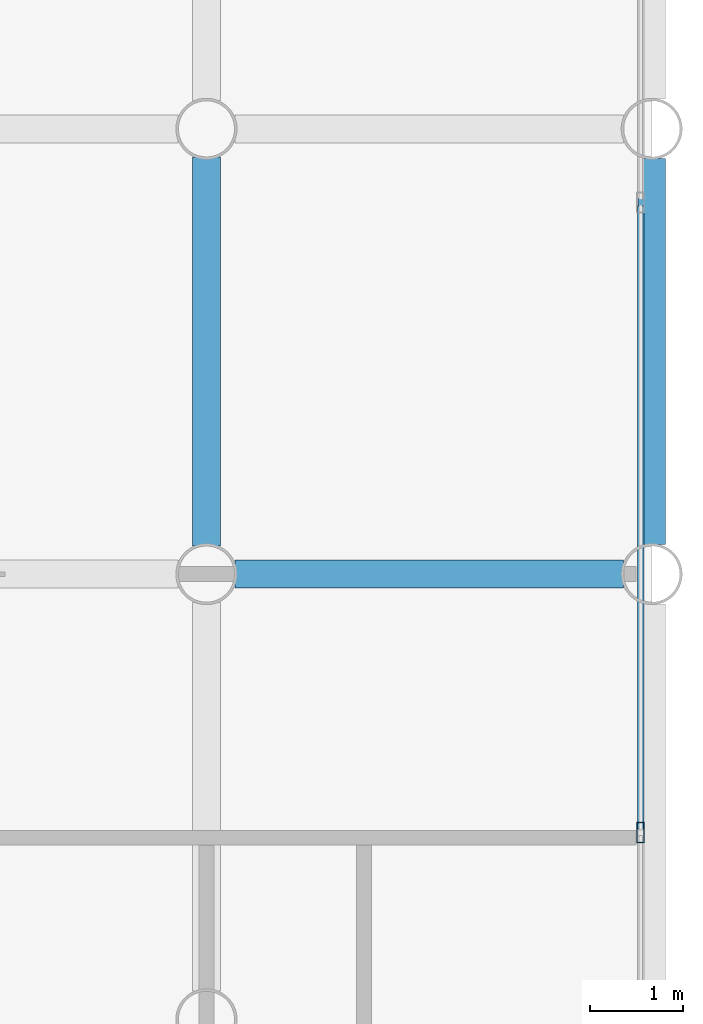
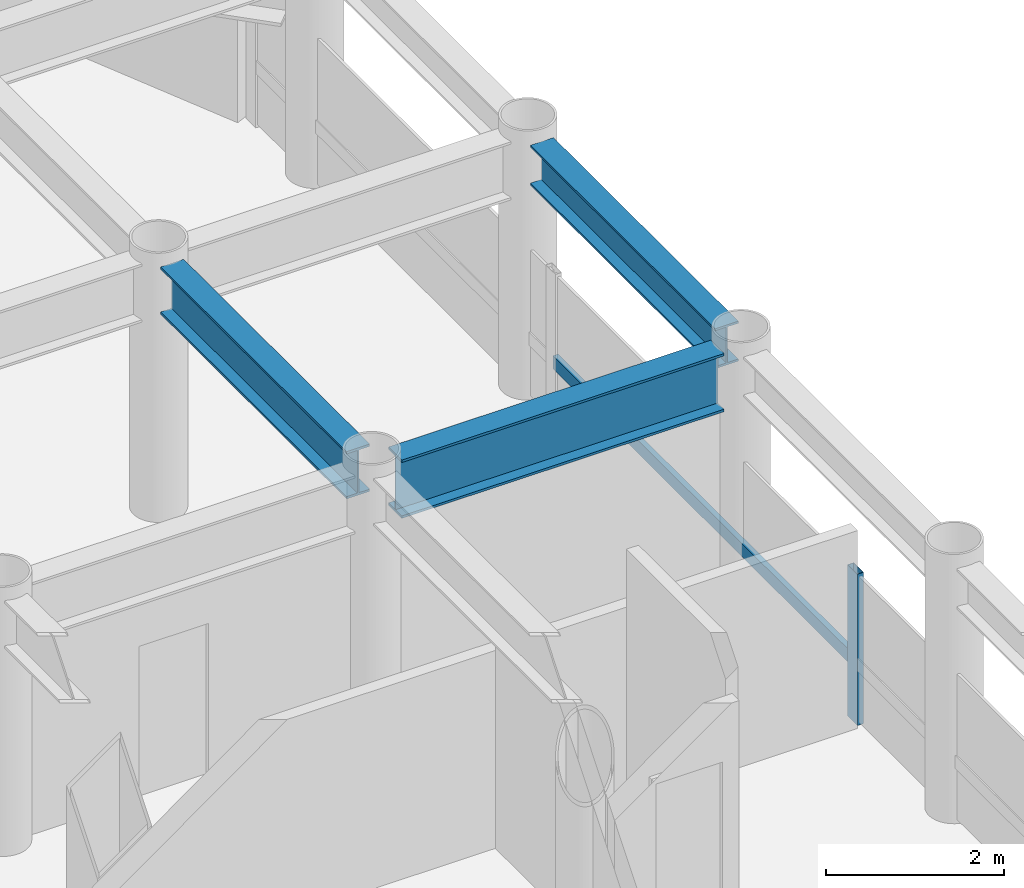
# One storey, part 10 of 22: 3 beams, 2 members, 1 element without a shape of its own.
"""IFC4 building model written with IfcOpenShell, lengths in metres."""

import ifcopenshell
import ifcopenshell.guid

model = None  # the IFC model being written
_history = None  # IfcOwnerHistory: only IFC2X3 demands one
_inside = {}  # id of a spatial element -> (the spatial element, [elements in it])
_under = {}  # id of a project, library or spatial element -> (it, [spatial elements below it])
_declared = {}  # id of a project -> (the project, [libraries it declares])
_typed = {}  # id of a type object -> (the type object, [elements of that type])
_made_of = {}  # id of a material, layer set ... -> (it, [elements and type objects made of it])


def new_model(schema):
    """Start an empty IFC model of exactly this schema.

    Asked for "IFC4X3", IfcOpenShell would pick the latest addendum, in which some entities
    have other attributes; the version numbers below select the first issue.
    IFC2X3 requires an IfcOwnerHistory on every rooted entity: one is made here for all.
    """
    global model, _history
    if schema == "IFC4X3":
        model = ifcopenshell.file(schema_version=(4, 3, 0, 0))
    else:
        model = ifcopenshell.file(schema=schema)
    _inside.clear()
    _under.clear()
    _declared.clear()
    _typed.clear()
    _made_of.clear()
    _history = None
    if model.schema == "IFC2X3":
        org = make("IfcOrganization", Name="unknown")
        user = make(
            "IfcPersonAndOrganization",
            ThePerson=make("IfcPerson", FamilyName="unknown"),
            TheOrganization=org,
        )
        app = make(
            "IfcApplication",
            ApplicationDeveloper=org,
            Version="unknown",
            ApplicationFullName="unknown",
            ApplicationIdentifier="unknown",
        )
        _history = make(
            "IfcOwnerHistory",
            OwningUser=user,
            OwningApplication=app,
            ChangeAction="ADDED",
            CreationDate=0,
        )
    return model


def make(cls, **values):
    """One entity of the class cls with the attributes given. An attribute that is None is left unset."""
    return model.create_entity(
        cls, **{name: value for name, value in values.items() if value is not None}
    )


def rooted(cls, **values):
    """An entity with a GlobalId (a new one), such as an element, a storey or a relation."""
    return make(cls, GlobalId=ifcopenshell.guid.new(), OwnerHistory=_history, **values)


def si_unit(unit_type, name, prefix=None):
    """IfcSIUnit, for example si_unit("LENGTHUNIT", "METRE", prefix="MILLI")."""
    return make("IfcSIUnit", UnitType=unit_type, Prefix=prefix, Name=name)


def assignment(units):
    """IfcUnitAssignment: the units of a project."""
    return None if units is None else make("IfcUnitAssignment", Units=units)


def point(xyz):
    """IfcCartesianPoint."""
    return None if xyz is None else make("IfcCartesianPoint", Coordinates=xyz)


def direction(xyz):
    """IfcDirection."""
    return None if xyz is None else make("IfcDirection", DirectionRatios=xyz)


def frame(location, z_axis=None, x_axis=None):
    """IfcAxis2Placement3D, a coordinate frame: its origin and axes. An axis left out is left unset."""
    return make(
        "IfcAxis2Placement3D",
        Location=point(location),
        Axis=direction(z_axis),
        RefDirection=direction(x_axis),
    )


def frame_2d(location, x_axis=None):
    """IfcAxis2Placement2D, a coordinate frame in the plane: its origin and x axis."""
    return make(
        "IfcAxis2Placement2D", Location=point(location), RefDirection=direction(x_axis)
    )


def origin():
    """The frame at (0, 0, 0) with its axes left unset."""
    return frame((0.0, 0.0, 0.0))


def origin_2d():
    """The frame at (0, 0) in the plane with its x axis left unset."""
    return frame_2d((0.0, 0.0))


def place(relative_to, where):
    """IfcLocalPlacement: puts the frame where relative to a parent placement (None: the world)."""
    return make(
        "IfcLocalPlacement", PlacementRelTo=relative_to, RelativePlacement=where
    )


def context(
    kind, dimensions, precision=None, world=None, true_north=None, identifier=None
):
    """IfcGeometricRepresentationContext, for example the 3D "Model" context."""
    return make(
        "IfcGeometricRepresentationContext",
        ContextIdentifier=identifier,
        ContextType=kind,
        CoordinateSpaceDimension=dimensions,
        Precision=precision,
        WorldCoordinateSystem=world,
        TrueNorth=true_north,
    )


def subcontext(parent, identifier, kind, view, scale=None):
    """IfcGeometricRepresentationSubContext, for example "Body" below "Model"."""
    return make(
        "IfcGeometricRepresentationSubContext",
        ContextIdentifier=identifier,
        ContextType=kind,
        ParentContext=parent,
        TargetScale=scale,
        TargetView=view,
    )


def project(units=None, contexts=None):
    """IfcProject with its units and contexts."""
    return rooted(
        "IfcProject",
        Name="project",
        RepresentationContexts=contexts,
        UnitsInContext=assignment(units),
    )


def spatial(cls, under=None, at=None, **own):
    """A site, building, storey or space (cls), placed at a placement, below another one or the project."""
    s = rooted(cls, ObjectPlacement=at, **own)
    if under is not None:
        _under.setdefault(under.id(), (under, []))[1].append(s)
    return s


def profile(cls, at=None, kind="AREA", **sizes):
    """A parametric profile (cls). Its sizes go by their IFC names, for example OverallWidth=200.0."""
    return make(cls, ProfileType=kind, Position=at, **sizes)


def hollow_rectangle(**sizes):
    """IfcRectangleHollowProfileDef."""
    return profile("IfcRectangleHollowProfileDef", **sizes)


def i_section(**sizes):
    """IfcIShapeProfileDef."""
    return profile("IfcIShapeProfileDef", **sizes)


def extrude(swept, where, along, depth):
    """IfcExtrudedAreaSolid: the profile swept, set in the frame where, extruded along a direction by depth."""
    return make(
        "IfcExtrudedAreaSolid",
        SweptArea=swept,
        Position=where,
        ExtrudedDirection=direction(along),
        Depth=depth,
    )


def shape(context_of_items, identifier, shape_type, items):
    """IfcShapeRepresentation: the items that make up one representation, for example the "Body"."""
    return make(
        "IfcShapeRepresentation",
        ContextOfItems=context_of_items,
        RepresentationIdentifier=identifier,
        RepresentationType=shape_type,
        Items=items,
    )


def material(Name=None, Category=None):
    """IfcMaterial."""
    return make("IfcMaterial", Name=Name, Category=Category)


def layer(
    of_material, thickness, ventilated=None, Name=None, Category=None, Priority=None
):
    """IfcMaterialLayer: one layer of a wall or slab, of a material (None: an air gap)."""
    return make(
        "IfcMaterialLayer",
        Material=of_material,
        LayerThickness=thickness,
        IsVentilated=ventilated,
        Name=Name,
        Category=Category,
        Priority=Priority,
    )


def layer_set(layers, Name=None):
    """IfcMaterialLayerSet."""
    return make("IfcMaterialLayerSet", MaterialLayers=layers, LayerSetName=Name)


def material_profile(
    of_material, cross_section, Name=None, Category=None, Priority=None
):
    """IfcMaterialProfile: a cross section and its material."""
    return make(
        "IfcMaterialProfile",
        Name=Name,
        Material=of_material,
        Profile=cross_section,
        Priority=Priority,
        Category=Category,
    )


def profile_set(profiles, Name=None, composite=None):
    """IfcMaterialProfileSet."""
    return make(
        "IfcMaterialProfileSet",
        Name=Name,
        MaterialProfiles=profiles,
        CompositeProfile=composite,
    )


def made_of(thing, what):
    """Note that an element or type object is made of a material, layer set ...; save() writes the relation."""
    if what is not None:
        _made_of.setdefault(what.id(), (what, []))[1].append(thing)
    return thing


def type_object(cls, material=None, **own):
    """A type object (cls), such as IfcWallType, which elements share."""
    return made_of(rooted(cls, **own), material)


def element(
    cls,
    number,
    at=None,
    inside=None,
    cuts=None,
    type_object=None,
    material=None,
    context=None,
    identifier="Body",
    shape_type=None,
    held_by="IfcProductDefinitionShape",
    body=None,
    shapes=None,
    **own,
):
    """One element of the class cls, such as IfcWall. Its Tag is "e" and its number.

    at: its placement. inside: the storey or other place that contains it. cuts: it is an
    opening in that element (IfcRelVoidsElement). A single representation is given by context,
    identifier, shape_type and body (its items); several are given by shapes. held_by: the class
    of the entity that holds the representations. save() writes the other relations.
    """
    e = rooted(cls, Tag="e%d" % number, ObjectPlacement=at, **own)
    if body is not None:
        shapes = [shape(context, identifier, shape_type, body)]
    if shapes is not None:
        e.Representation = make(held_by, Representations=shapes)
    if inside is not None:
        _inside.setdefault(inside.id(), (inside, []))[1].append(e)
    if cuts is not None:
        rooted(
            "IfcRelVoidsElement", RelatingBuildingElement=cuts, RelatedOpeningElement=e
        )
    if type_object is not None:
        _typed.setdefault(type_object.id(), (type_object, []))[1].append(e)
    return made_of(e, material)


def aggregate(whole, parts):
    """IfcRelAggregates: a whole, such as a stair, and the parts it consists of."""
    return rooted("IfcRelAggregates", RelatingObject=whole, RelatedObjects=parts)


def save(model, path):
    """Write the relations noted so far, then the file.

    IfcRelAggregates (storeys below a building ...), IfcRelContainedInSpatialStructure (elements
    in a storey), IfcRelDefinesByType, IfcRelAssociatesMaterial and IfcRelDeclares: one each for
    every whole, place, type object, material and project.
    """
    for whole, parts in _under.values():
        aggregate(whole, parts)
    for where, things in _inside.values():
        rooted(
            "IfcRelContainedInSpatialStructure",
            RelatedElements=things,
            RelatingStructure=where,
        )
    for kind, things in _typed.values():
        rooted("IfcRelDefinesByType", RelatedObjects=things, RelatingType=kind)
    for what, things in _made_of.values():
        rooted("IfcRelAssociatesMaterial", RelatedObjects=things, RelatingMaterial=what)
    for by, libraries in _declared.values():
        rooted("IfcRelDeclares", RelatingContext=by, RelatedDefinitions=libraries)
    model.write(path)


model = new_model("IFC4")

# Units and contexts
model_context = context("Model", 3, precision=1e-05, world=origin(), true_north=direction((0.0, 1.0)))
body_context = subcontext(model_context, "Body", "Model", "MODEL_VIEW")
ifc_project = project(units=[si_unit("LENGTHUNIT", "METRE"), si_unit("AREAUNIT", "SQUARE_METRE"), si_unit("VOLUMEUNIT", "CUBIC_METRE"), si_unit("PLANEANGLEUNIT", "RADIAN"), si_unit("MASSUNIT", "GRAM", prefix="KILO")], contexts=[model_context])

# Site, building, storey
site_placement = place(None, origin())
site = spatial("IfcSite", under=ifc_project, at=site_placement, CompositionType="ELEMENT")
building_placement = place(site_placement, origin())
building = spatial("IfcBuilding", under=site, at=building_placement, Name="Kallvorn Hotel Tower", CompositionType="ELEMENT")
storey_placement = place(building_placement, frame((0.0, 0.0, 110.0)))
storey = spatial("IfcBuildingStorey", under=building, at=storey_placement, Name="L26", CompositionType="ELEMENT", Elevation=110.0)

# Beams
ifc_material_1 = material(Name="Structural steel S355JR", Category="steel")
ifc_material_profile_1 = material_profile(ifc_material_1, i_section(OverallWidth=0.300048828125, OverallDepth=0.550048828125, WebThickness=0.014892578125, FlangeThickness=0.029052734375, at=origin_2d()), Name="HE 550 B")
ifc_profile_set_1 = profile_set([ifc_material_profile_1], Name="Structural steel S355JR")
beam_type_1 = type_object("IfcBeamType", Name="BM_HE550B", PredefinedType="SPANDREL", material=ifc_profile_set_1)
beam_1_placement = place(storey_placement, frame((33.60009765625, 9.919921875, 3.2451171875), z_axis=(0.0, 1.0, 0.0), x_axis=(-1.0, 0.0, 0.0)))
element("IfcBeam", 1, at=beam_1_placement, inside=storey, type_object=beam_type_1, Name="L27 Perimeter Spandrel 187", PredefinedType="SPANDREL", context=body_context, shape_type="SweptSolid", body=[
    extrude(i_section(OverallWidth=0.300048828125, OverallDepth=0.550048828125, WebThickness=0.014892578125, FlangeThickness=0.029052734375, at=origin_2d()), origin(), (0.0, 0.0, 1.0), 4.16015625),
])
ifc_material_2 = material(Name="Structural steel S355JR", Category="steel")
ifc_material_profile_2 = material_profile(ifc_material_2, i_section(OverallWidth=0.300048828125, OverallDepth=0.64990234375, WebThickness=0.01611328125, FlangeThickness=0.031005859375, at=origin_2d()), Name="HE 650 B")
ifc_profile_set_2 = profile_set([ifc_material_profile_2], Name="Structural steel S355JR")
beam_type_2 = type_object("IfcBeamType", Name="BM_HE650B", PredefinedType="BEAM", material=ifc_profile_set_2)
beam_2_placement = place(storey_placement, frame((28.800048828125, 9.905029296875, 3.195068359375), z_axis=(0.0, 1.0, 0.0), x_axis=(-1.0, 0.0, 0.0)))
element("IfcBeam", 2, at=beam_2_placement, inside=storey, type_object=beam_type_2, Name="L27 Primary Y-Girder 148", PredefinedType="BEAM", context=body_context, shape_type="SweptSolid", body=[
    extrude(i_section(OverallWidth=0.300048828125, OverallDepth=0.64990234375, WebThickness=0.01611328125, FlangeThickness=0.031005859375, at=origin_2d()), origin(), (0.0, 0.0, 1.0), 4.18994140625),
])
ifc_material_3 = material(Name="Structural steel S355JR", Category="steel")
ifc_material_profile_3 = material_profile(ifc_material_3, i_section(OverallWidth=0.300048828125, OverallDepth=0.800048828125, WebThickness=0.017578125, FlangeThickness=0.032958984375, at=origin_2d()), Name="HE 800 B")
ifc_profile_set_3 = profile_set([ifc_material_profile_3], Name="Structural steel S355JR")
beam_type_3 = type_object("IfcBeamType", Name="BM_HE800B", PredefinedType="BEAM", material=ifc_profile_set_3)
beam_3_placement = place(storey_placement, frame((29.10498046875, 9.60009765625, 3.1201171875), z_axis=(1.0, 0.0, 0.0), x_axis=(0.0, 1.0, 0.0)))
element("IfcBeam", 3, at=beam_3_placement, inside=storey, type_object=beam_type_3, Name="L27 Primary X-Girder 49", PredefinedType="BEAM", context=body_context, shape_type="SweptSolid", body=[
    extrude(i_section(OverallWidth=0.300048828125, OverallDepth=0.800048828125, WebThickness=0.017578125, FlangeThickness=0.032958984375, at=origin_2d()), origin(), (0.0, 0.0, 1.0), 4.18994140625),
])

# Curtain wall, members
ifc_material_4 = material(Name="Thermally broken black-anodised aluminium AA 6063-T6", Category="aluminium")
ifc_layer = layer(ifc_material_4, 0.199951171875)
ifc_layer_set = layer_set([ifc_layer], Name="CW_SYS_3_HOTEL_LOW")
curtain_wall_type = type_object("IfcCurtainWallType", Name="CW_SYS_3_HOTEL_LOW", PredefinedType="USERDEFINED", material=ifc_layer_set)
curtain_wall_placement = place(storey_placement, origin())
curtain_wall = element("IfcCurtainWall", 4, at=curtain_wall_placement, inside=storey, type_object=curtain_wall_type, Name="L26 Dark-Glass Curtain Wall CW-L26-EN", ObjectType="UNITISED CURTAIN WALL", PredefinedType="USERDEFINED")
ifc_material_5 = material(Name="Thermally broken black-anodised aluminium AA 6063-T6", Category="aluminium")
ifc_material_profile_4 = material_profile(ifc_material_5, hollow_rectangle(XDim=0.080078125, YDim=0.219970703125, WallThickness=0.0048828125, at=origin_2d()), Name="MUL 220x80")
ifc_profile_set_4 = profile_set([ifc_material_profile_4], Name="Thermally broken black-anodised aluminium AA 6063-T6")
member_type_1 = type_object("IfcMemberType", Name="CW_MULLION_220x80", PredefinedType="MULLION", material=ifc_profile_set_4)
member_1_placement = place(storey_placement, frame((33.47998046875, 6.813232421875, 0.02001953125), z_axis=(0.0, 0.0, 1.0), x_axis=(1.0, 0.0, 0.0)))
member_1 = element("IfcMember", 5, at=member_1_placement, type_object=member_type_1, Name="CW-L26-EN Mullion 01", PredefinedType="MULLION", context=body_context, shape_type="SweptSolid", body=[
    extrude(hollow_rectangle(XDim=0.080078125, YDim=0.219970703125, WallThickness=0.0048828125, at=origin_2d()), origin(), (0.0, 0.0, 1.0), 2.080078125),
])
ifc_material_6 = material(Name="Thermally broken black-anodised aluminium AA 6063-T6", Category="aluminium")
ifc_material_profile_5 = material_profile(ifc_material_6, hollow_rectangle(XDim=0.070068359375, YDim=0.179931640625, WallThickness=0.00390625, at=origin_2d()), Name="TRN 180x70")
ifc_profile_set_5 = profile_set([ifc_material_profile_5], Name="Thermally broken black-anodised aluminium AA 6063-T6")
member_type_2 = type_object("IfcMemberType", Name="CW_TRANSOM_180x70", PredefinedType="USERDEFINED", material=ifc_profile_set_5)
member_2_placement = place(storey_placement, frame((33.47998046875, 6.853271484375, 0.85009765625), z_axis=(0.0, 1.0, 0.0), x_axis=(-1.0, 0.0, 0.0)))
member_2 = element("IfcMember", 6, at=member_2_placement, type_object=member_type_2, Name="CW-L26-EN Transom 01M", ObjectType="TRANSOM", PredefinedType="USERDEFINED", context=body_context, shape_type="SweptSolid", body=[
    extrude(hollow_rectangle(XDim=0.070068359375, YDim=0.179931640625, WallThickness=0.00390625, at=origin_2d()), origin(), (0.0, 0.0, 1.0), 6.71337890625),
])
aggregate(curtain_wall, [member_1, member_2])

save(model, "model.ifc")
